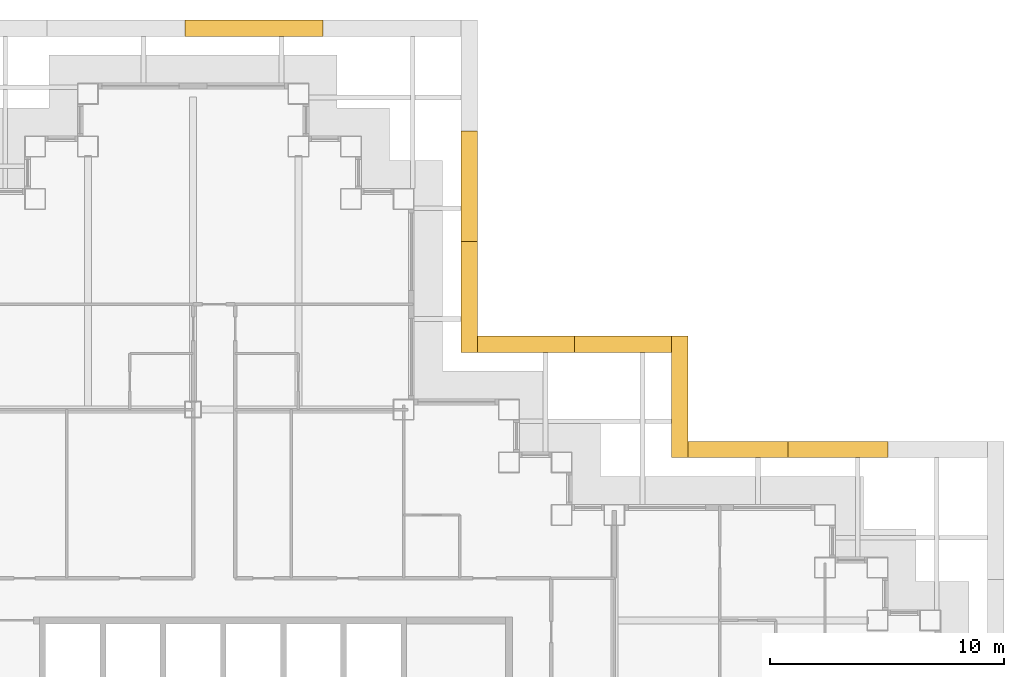
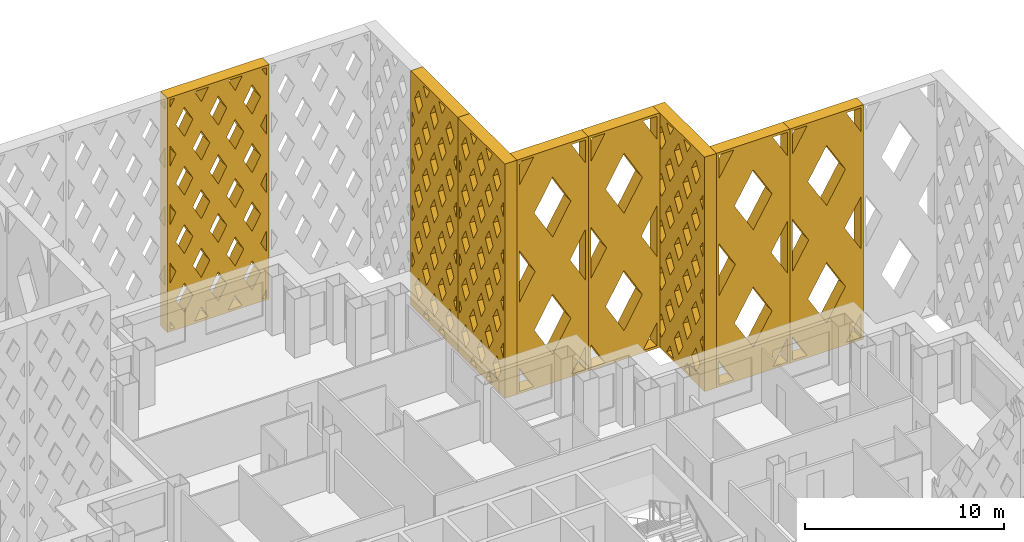
# One storey, part 19 of 21: 8 shading devices.
"""IFC4 building model written with IfcOpenShell, lengths in metres."""

from ifc_helpers import new_model, si_unit, direction, frame, origin, place, context, subcontext, project, spatial, polyline, outline, extrude, material, type_object, element, save


model = new_model("IFC4")

# Units and contexts
model_context = context("Model", 3, precision=1e-05, world=origin(), true_north=direction((0.0, 1.0)))
body_context = subcontext(model_context, "Body", "Model", "MODEL_VIEW")
ifc_project = project(units=[si_unit("LENGTHUNIT", "METRE"), si_unit("AREAUNIT", "SQUARE_METRE"), si_unit("VOLUMEUNIT", "CUBIC_METRE"), si_unit("PLANEANGLEUNIT", "RADIAN"), si_unit("MASSUNIT", "GRAM", prefix="KILO")], contexts=[model_context])

# Site, building, storey
site_placement = place(None, origin())
site = spatial("IfcSite", under=ifc_project, at=site_placement, CompositionType="ELEMENT")
building_placement = place(site_placement, origin())
building = spatial("IfcBuilding", under=site, at=building_placement, Name="Caravel Reach Hotel and Residences", CompositionType="ELEMENT")
storey_placement = place(building_placement, frame((0.0, 0.0, 100.800048828125)))
storey = spatial("IfcBuildingStorey", under=building, at=storey_placement, Name="L24", CompositionType="ELEMENT", Elevation=100.800048828125)

# Shading devices
ifc_material_1 = material(Name="Black powder-coated aluminium", Category="aluminium")
shading_device_type_1 = type_object("IfcShadingDeviceType", Name="Diamond lattice screen panel 4150 x 14400", PredefinedType="USERDEFINED", material=ifc_material_1)
for number, where, z_axis, x_axis, name in (
    (1, (51.949951171875, 42.949951171875, 0.0), (0.0, 1.0, 0.0), (-1.0, 0.0, 0.0), "Lattice screen L24-L27 10.1"),
    (2, (47.800048828125, 42.949951171875, 0.0), (0.0, 1.0, 0.0), (-1.0, 0.0, 0.0), "Lattice screen L24-L27 10.2"),
):
    element("IfcShadingDevice", number, at=place(storey_placement, frame(where, z_axis=z_axis, x_axis=x_axis)), inside=storey, type_object=shading_device_type_1, Name=name, ObjectType="SCREEN", PredefinedType="USERDEFINED", context=body_context, shape_type="SweptSolid", body=[
        extrude(outline(polyline([(0.0, 0.0), (4.14990234375, 0.0), (4.14990234375, 14.39990234375), (0.0, 14.39990234375), (0.0, 0.0)]), holes=[polyline([(0.97802734375, 0.14990234375), (0.14990234375, 1.586669921875), (0.14990234375, 0.14990234375), (0.97802734375, 0.14990234375)]), polyline([(1.064697265625, 7.199951171875), (0.14990234375, 8.786865234375), (0.14990234375, 5.61328125), (1.064697265625, 7.199951171875)]), polyline([(0.14990234375, 12.813232421875), (0.97802734375, 14.25), (0.14990234375, 14.25), (0.14990234375, 12.813232421875)]), polyline([(2.074951171875, 5.447021484375), (1.010498046875, 3.60009765625), (2.074951171875, 1.7529296875), (3.1396484375, 3.60009765625), (2.074951171875, 5.447021484375)]), polyline([(2.074951171875, 12.64697265625), (1.010498046875, 10.800048828125), (2.074951171875, 8.953125), (3.1396484375, 10.800048828125), (2.074951171875, 12.64697265625)]), polyline([(4.0, 1.586669921875), (3.171875, 0.14990234375), (4.0, 0.14990234375), (4.0, 1.586669921875)]), polyline([(3.08544921875, 7.199951171875), (4.0, 5.61328125), (4.0, 8.786865234375), (3.08544921875, 7.199951171875)]), polyline([(3.171875, 14.25), (4.0, 12.813232421875), (4.0, 14.25), (3.171875, 14.25)])]), origin(), (0.0, 0.0, 1.0), 0.699951171875),
    ])
ifc_material_2 = material(Name="Black powder-coated aluminium", Category="aluminium")
shading_device_type_2 = type_object("IfcShadingDeviceType", Name="Diamond lattice screen panel 4267 x 14400", PredefinedType="USERDEFINED", material=ifc_material_2)
for number, where, z_axis, x_axis, name in (
    (3, (61.183349609375, 38.449951171875, 0.0), (0.0, 1.0, 0.0), (-1.0, 0.0, 0.0), "Lattice screen L24-L27 8.2"),
    (4, (56.916748046875, 38.449951171875, 0.0), (0.0, 1.0, 0.0), (-1.0, 0.0, 0.0), "Lattice screen L24-L27 8.3"),
):
    element("IfcShadingDevice", number, at=place(storey_placement, frame(where, z_axis=z_axis, x_axis=x_axis)), inside=storey, type_object=shading_device_type_2, Name=name, ObjectType="SCREEN", PredefinedType="USERDEFINED", context=body_context, shape_type="SweptSolid", body=[
        extrude(outline(polyline([(0.0, 0.0), (4.2666015625, 0.0), (4.2666015625, 14.39990234375), (0.0, 14.39990234375), (0.0, 0.0)]), holes=[polyline([(1.003662109375, 0.14990234375), (0.14990234375, 1.590576171875), (0.14990234375, 0.14990234375), (1.003662109375, 0.14990234375)]), polyline([(1.092529296875, 7.199951171875), (0.14990234375, 8.790771484375), (0.14990234375, 5.609375), (1.092529296875, 7.199951171875)]), polyline([(0.14990234375, 12.809326171875), (1.003662109375, 14.25), (0.14990234375, 14.25), (0.14990234375, 12.809326171875)]), polyline([(2.13330078125, 5.44384765625), (1.040771484375, 3.60009765625), (2.13330078125, 1.756103515625), (3.225830078125, 3.60009765625), (2.13330078125, 5.44384765625)]), polyline([(2.13330078125, 12.643798828125), (1.040771484375, 10.800048828125), (2.13330078125, 8.956298828125), (3.225830078125, 10.800048828125), (2.13330078125, 12.643798828125)]), polyline([(4.11669921875, 1.590576171875), (3.262939453125, 0.14990234375), (4.11669921875, 0.14990234375), (4.11669921875, 1.590576171875)]), polyline([(3.174072265625, 7.199951171875), (4.11669921875, 5.609375), (4.11669921875, 8.790771484375), (3.174072265625, 7.199951171875)]), polyline([(3.262939453125, 14.25), (4.11669921875, 12.809326171875), (4.11669921875, 14.25), (3.262939453125, 14.25)])]), origin(), (0.0, 0.0, 1.0), 0.699951171875),
    ])
ifc_material_3 = material(Name="Black powder-coated aluminium", Category="aluminium")
shading_device_type_3 = type_object("IfcShadingDeviceType", Name="Diamond lattice screen panel 4733 x 14400", PredefinedType="USERDEFINED", material=ifc_material_3)
shading_device_1_placement = place(storey_placement, frame((42.949951171875, 42.949951171875, 0.0), z_axis=(1.0, 0.0, 0.0), x_axis=(0.0, 1.0, 0.0)))
element("IfcShadingDevice", 5, at=shading_device_1_placement, inside=storey, type_object=shading_device_type_3, Name="Lattice screen L24-L27 11.1", ObjectType="SCREEN", PredefinedType="USERDEFINED", context=body_context, shape_type="SweptSolid", body=[
    extrude(outline(polyline([(0.0, 0.0), (4.7333984375, 0.0), (4.7333984375, 14.39990234375), (0.0, 14.39990234375), (0.0, 0.0)]), holes=[polyline([(0.39892578125, 2.8798828125), (0.14990234375, 3.334228515625), (0.14990234375, 2.42578125), (0.39892578125, 2.8798828125)]), polyline([(0.39892578125, 5.760009765625), (0.14990234375, 6.21435546875), (0.14990234375, 5.3056640625), (0.39892578125, 5.760009765625)]), polyline([(0.39892578125, 8.639892578125), (0.14990234375, 9.09423828125), (0.14990234375, 8.185791015625), (0.39892578125, 8.639892578125)]), polyline([(0.39892578125, 11.52001953125), (0.14990234375, 11.974365234375), (0.14990234375, 11.065673828125), (0.39892578125, 11.52001953125)]), polyline([(0.788818359375, 2.16796875), (0.39013671875, 1.43994140625), (0.788818359375, 0.7119140625), (1.187744140625, 1.43994140625), (0.788818359375, 2.16796875)]), polyline([(0.788818359375, 5.048095703125), (0.39013671875, 4.320068359375), (0.788818359375, 3.592041015625), (1.187744140625, 4.320068359375), (0.788818359375, 5.048095703125)]), polyline([(0.788818359375, 7.927978515625), (0.39013671875, 7.199951171875), (0.788818359375, 6.471923828125), (1.187744140625, 7.199951171875), (0.788818359375, 7.927978515625)]), polyline([(0.788818359375, 10.80810546875), (0.39013671875, 10.080078125), (0.788818359375, 9.35205078125), (1.187744140625, 10.080078125), (0.788818359375, 10.80810546875)]), polyline([(0.788818359375, 13.68798828125), (0.39013671875, 12.9599609375), (0.788818359375, 12.23193359375), (1.187744140625, 12.9599609375), (0.788818359375, 13.68798828125)]), polyline([(1.577880859375, 0.72802734375), (1.260986328125, 0.14990234375), (1.89453125, 0.14990234375), (1.577880859375, 0.72802734375)]), polyline([(1.577880859375, 3.608154296875), (1.178955078125, 2.8798828125), (1.577880859375, 2.15185546875), (1.9765625, 2.8798828125), (1.577880859375, 3.608154296875)]), polyline([(1.577880859375, 6.488037109375), (1.178955078125, 5.760009765625), (1.577880859375, 5.031982421875), (1.9765625, 5.760009765625), (1.577880859375, 6.488037109375)]), polyline([(1.577880859375, 9.3681640625), (1.178955078125, 8.639892578125), (1.577880859375, 7.911865234375), (1.9765625, 8.639892578125), (1.577880859375, 9.3681640625)]), polyline([(1.577880859375, 12.248046875), (1.178955078125, 11.52001953125), (1.577880859375, 10.7919921875), (1.9765625, 11.52001953125), (1.577880859375, 12.248046875)]), polyline([(1.577880859375, 13.671875), (1.89453125, 14.25), (1.260986328125, 14.25), (1.577880859375, 13.671875)]), polyline([(2.36669921875, 2.16796875), (1.9677734375, 1.43994140625), (2.36669921875, 0.7119140625), (2.765625, 1.43994140625), (2.36669921875, 2.16796875)]), polyline([(2.36669921875, 5.048095703125), (1.9677734375, 4.320068359375), (2.36669921875, 3.592041015625), (2.765625, 4.320068359375), (2.36669921875, 5.048095703125)]), polyline([(2.36669921875, 7.927978515625), (1.9677734375, 7.199951171875), (2.36669921875, 6.471923828125), (2.765625, 7.199951171875), (2.36669921875, 7.927978515625)]), polyline([(2.36669921875, 10.80810546875), (1.9677734375, 10.080078125), (2.36669921875, 9.35205078125), (2.765625, 10.080078125), (2.36669921875, 10.80810546875)]), polyline([(2.36669921875, 13.68798828125), (1.9677734375, 12.9599609375), (2.36669921875, 12.23193359375), (2.765625, 12.9599609375), (2.36669921875, 13.68798828125)]), polyline([(3.155517578125, 0.72802734375), (2.8388671875, 0.14990234375), (3.47216796875, 0.14990234375), (3.155517578125, 0.72802734375)]), polyline([(3.155517578125, 3.608154296875), (2.756591796875, 2.8798828125), (3.155517578125, 2.15185546875), (3.554443359375, 2.8798828125), (3.155517578125, 3.608154296875)]), polyline([(3.155517578125, 6.488037109375), (2.756591796875, 5.760009765625), (3.155517578125, 5.031982421875), (3.554443359375, 5.760009765625), (3.155517578125, 6.488037109375)]), polyline([(3.155517578125, 9.3681640625), (2.756591796875, 8.639892578125), (3.155517578125, 7.911865234375), (3.554443359375, 8.639892578125), (3.155517578125, 9.3681640625)]), polyline([(3.155517578125, 12.248046875), (2.756591796875, 11.52001953125), (3.155517578125, 10.7919921875), (3.554443359375, 11.52001953125), (3.155517578125, 12.248046875)]), polyline([(3.155517578125, 13.671875), (3.47216796875, 14.25), (2.8388671875, 14.25), (3.155517578125, 13.671875)]), polyline([(3.9443359375, 2.16796875), (3.545654296875, 1.43994140625), (3.9443359375, 0.7119140625), (4.34326171875, 1.43994140625), (3.9443359375, 2.16796875)]), polyline([(3.9443359375, 5.048095703125), (3.545654296875, 4.320068359375), (3.9443359375, 3.592041015625), (4.34326171875, 4.320068359375), (3.9443359375, 5.048095703125)]), polyline([(3.9443359375, 7.927978515625), (3.545654296875, 7.199951171875), (3.9443359375, 6.471923828125), (4.34326171875, 7.199951171875), (3.9443359375, 7.927978515625)]), polyline([(3.9443359375, 10.80810546875), (3.545654296875, 10.080078125), (3.9443359375, 9.35205078125), (4.34326171875, 10.080078125), (3.9443359375, 10.80810546875)]), polyline([(3.9443359375, 13.68798828125), (3.545654296875, 12.9599609375), (3.9443359375, 12.23193359375), (4.34326171875, 12.9599609375), (3.9443359375, 13.68798828125)]), polyline([(4.33447265625, 2.8798828125), (4.583251953125, 2.42578125), (4.583251953125, 3.334228515625), (4.33447265625, 2.8798828125)]), polyline([(4.33447265625, 5.760009765625), (4.583251953125, 5.3056640625), (4.583251953125, 6.21435546875), (4.33447265625, 5.760009765625)]), polyline([(4.33447265625, 8.639892578125), (4.583251953125, 8.185791015625), (4.583251953125, 9.09423828125), (4.33447265625, 8.639892578125)]), polyline([(4.33447265625, 11.52001953125), (4.583251953125, 11.065673828125), (4.583251953125, 11.974365234375), (4.33447265625, 11.52001953125)])]), origin(), (0.0, 0.0, 1.0), 0.699951171875),
])
shading_device_2_placement = place(storey_placement, frame((42.949951171875, 47.683349609375, 0.0), z_axis=(1.0, 0.0, 0.0), x_axis=(0.0, 1.0, 0.0)))
element("IfcShadingDevice", 6, at=shading_device_2_placement, inside=storey, type_object=shading_device_type_3, Name="Lattice screen L24-L27 11.2", ObjectType="SCREEN", PredefinedType="USERDEFINED", context=body_context, shape_type="SweptSolid", body=[
    extrude(outline(polyline([(0.0, 0.0), (4.7333984375, 0.0), (4.7333984375, 14.39990234375), (0.0, 14.39990234375), (0.0, 0.0)]), holes=[polyline([(0.39892578125, 2.8798828125), (0.14990234375, 3.334228515625), (0.14990234375, 2.42578125), (0.39892578125, 2.8798828125)]), polyline([(0.39892578125, 5.760009765625), (0.14990234375, 6.21435546875), (0.14990234375, 5.3056640625), (0.39892578125, 5.760009765625)]), polyline([(0.39892578125, 8.639892578125), (0.14990234375, 9.09423828125), (0.14990234375, 8.185791015625), (0.39892578125, 8.639892578125)]), polyline([(0.39892578125, 11.52001953125), (0.14990234375, 11.974365234375), (0.14990234375, 11.065673828125), (0.39892578125, 11.52001953125)]), polyline([(0.788818359375, 2.16796875), (0.39013671875, 1.43994140625), (0.788818359375, 0.7119140625), (1.187744140625, 1.43994140625), (0.788818359375, 2.16796875)]), polyline([(0.788818359375, 5.048095703125), (0.39013671875, 4.320068359375), (0.788818359375, 3.592041015625), (1.187744140625, 4.320068359375), (0.788818359375, 5.048095703125)]), polyline([(0.788818359375, 7.927978515625), (0.39013671875, 7.199951171875), (0.788818359375, 6.471923828125), (1.187744140625, 7.199951171875), (0.788818359375, 7.927978515625)]), polyline([(0.788818359375, 10.80810546875), (0.39013671875, 10.080078125), (0.788818359375, 9.35205078125), (1.187744140625, 10.080078125), (0.788818359375, 10.80810546875)]), polyline([(0.788818359375, 13.68798828125), (0.39013671875, 12.9599609375), (0.788818359375, 12.23193359375), (1.187744140625, 12.9599609375), (0.788818359375, 13.68798828125)]), polyline([(1.577880859375, 0.72802734375), (1.260986328125, 0.14990234375), (1.89453125, 0.14990234375), (1.577880859375, 0.72802734375)]), polyline([(1.577880859375, 3.608154296875), (1.178955078125, 2.8798828125), (1.577880859375, 2.15185546875), (1.9765625, 2.8798828125), (1.577880859375, 3.608154296875)]), polyline([(1.577880859375, 6.488037109375), (1.178955078125, 5.760009765625), (1.577880859375, 5.031982421875), (1.9765625, 5.760009765625), (1.577880859375, 6.488037109375)]), polyline([(1.577880859375, 9.3681640625), (1.178955078125, 8.639892578125), (1.577880859375, 7.911865234375), (1.9765625, 8.639892578125), (1.577880859375, 9.3681640625)]), polyline([(1.577880859375, 12.248046875), (1.178955078125, 11.52001953125), (1.577880859375, 10.7919921875), (1.9765625, 11.52001953125), (1.577880859375, 12.248046875)]), polyline([(1.577880859375, 13.671875), (1.89453125, 14.25), (1.260986328125, 14.25), (1.577880859375, 13.671875)]), polyline([(2.36669921875, 2.16796875), (1.9677734375, 1.43994140625), (2.36669921875, 0.7119140625), (2.765625, 1.43994140625), (2.36669921875, 2.16796875)]), polyline([(2.36669921875, 5.048095703125), (1.9677734375, 4.320068359375), (2.36669921875, 3.592041015625), (2.765625, 4.320068359375), (2.36669921875, 5.048095703125)]), polyline([(2.36669921875, 7.927978515625), (1.9677734375, 7.199951171875), (2.36669921875, 6.471923828125), (2.765625, 7.199951171875), (2.36669921875, 7.927978515625)]), polyline([(2.36669921875, 10.80810546875), (1.9677734375, 10.080078125), (2.36669921875, 9.35205078125), (2.765625, 10.080078125), (2.36669921875, 10.80810546875)]), polyline([(2.36669921875, 13.68798828125), (1.9677734375, 12.9599609375), (2.36669921875, 12.23193359375), (2.765625, 12.9599609375), (2.36669921875, 13.68798828125)]), polyline([(3.155517578125, 0.72802734375), (2.8388671875, 0.14990234375), (3.47216796875, 0.14990234375), (3.155517578125, 0.72802734375)]), polyline([(3.155517578125, 3.608154296875), (2.756591796875, 2.8798828125), (3.155517578125, 2.15185546875), (3.554443359375, 2.8798828125), (3.155517578125, 3.608154296875)]), polyline([(3.155517578125, 6.488037109375), (2.756591796875, 5.760009765625), (3.155517578125, 5.031982421875), (3.554443359375, 5.760009765625), (3.155517578125, 6.488037109375)]), polyline([(3.155517578125, 9.3681640625), (2.756591796875, 8.639892578125), (3.155517578125, 7.911865234375), (3.554443359375, 8.639892578125), (3.155517578125, 9.3681640625)]), polyline([(3.155517578125, 12.248046875), (2.756591796875, 11.52001953125), (3.155517578125, 10.7919921875), (3.554443359375, 11.52001953125), (3.155517578125, 12.248046875)]), polyline([(3.155517578125, 13.671875), (3.47216796875, 14.25), (2.8388671875, 14.25), (3.155517578125, 13.671875)]), polyline([(3.9443359375, 2.16796875), (3.545654296875, 1.43994140625), (3.9443359375, 0.7119140625), (4.34326171875, 1.43994140625), (3.9443359375, 2.16796875)]), polyline([(3.9443359375, 5.048095703125), (3.545654296875, 4.320068359375), (3.9443359375, 3.592041015625), (4.34326171875, 4.320068359375), (3.9443359375, 5.048095703125)]), polyline([(3.9443359375, 7.927978515625), (3.545654296875, 7.199951171875), (3.9443359375, 6.471923828125), (4.34326171875, 7.199951171875), (3.9443359375, 7.927978515625)]), polyline([(3.9443359375, 10.80810546875), (3.545654296875, 10.080078125), (3.9443359375, 9.35205078125), (4.34326171875, 10.080078125), (3.9443359375, 10.80810546875)]), polyline([(3.9443359375, 13.68798828125), (3.545654296875, 12.9599609375), (3.9443359375, 12.23193359375), (4.34326171875, 12.9599609375), (3.9443359375, 13.68798828125)]), polyline([(4.33447265625, 2.8798828125), (4.583251953125, 2.42578125), (4.583251953125, 3.334228515625), (4.33447265625, 2.8798828125)]), polyline([(4.33447265625, 5.760009765625), (4.583251953125, 5.3056640625), (4.583251953125, 6.21435546875), (4.33447265625, 5.760009765625)]), polyline([(4.33447265625, 8.639892578125), (4.583251953125, 8.185791015625), (4.583251953125, 9.09423828125), (4.33447265625, 8.639892578125)]), polyline([(4.33447265625, 11.52001953125), (4.583251953125, 11.065673828125), (4.583251953125, 11.974365234375), (4.33447265625, 11.52001953125)])]), origin(), (0.0, 0.0, 1.0), 0.699951171875),
])
ifc_material_4 = material(Name="Black powder-coated aluminium", Category="aluminium")
shading_device_type_4 = type_object("IfcShadingDeviceType", Name="Diamond lattice screen panel 5200 x 14400", PredefinedType="USERDEFINED", material=ifc_material_4)
shading_device_3_placement = place(storey_placement, frame((51.949951171875, 38.449951171875, 0.0), z_axis=(1.0, 0.0, 0.0), x_axis=(0.0, 1.0, 0.0)))
element("IfcShadingDevice", 7, at=shading_device_3_placement, inside=storey, type_object=shading_device_type_4, Name="Lattice screen L24-L27 9.1", ObjectType="SCREEN", PredefinedType="USERDEFINED", context=body_context, shape_type="SweptSolid", body=[
    extrude(outline(polyline([(0.0, 0.0), (5.199951171875, 0.0), (5.199951171875, 14.39990234375), (0.0, 14.39990234375), (0.0, 0.0)]), holes=[polyline([(0.436767578125, 2.8798828125), (0.14990234375, 3.3564453125), (0.14990234375, 2.403564453125), (0.436767578125, 2.8798828125)]), polyline([(0.436767578125, 5.760009765625), (0.14990234375, 6.236572265625), (0.14990234375, 5.283447265625), (0.436767578125, 5.760009765625)]), polyline([(0.436767578125, 8.639892578125), (0.14990234375, 9.116455078125), (0.14990234375, 8.16357421875), (0.436767578125, 8.639892578125)]), polyline([(0.436767578125, 11.52001953125), (0.14990234375, 11.99658203125), (0.14990234375, 11.04345703125), (0.436767578125, 11.52001953125)]), polyline([(0.86669921875, 2.165771484375), (0.429931640625, 1.43994140625), (0.86669921875, 0.71435546875), (1.303466796875, 1.43994140625), (0.86669921875, 2.165771484375)]), polyline([(0.86669921875, 5.045654296875), (0.429931640625, 4.320068359375), (0.86669921875, 3.59423828125), (1.303466796875, 4.320068359375), (0.86669921875, 5.045654296875)]), polyline([(0.86669921875, 7.92578125), (0.429931640625, 7.199951171875), (0.86669921875, 6.474365234375), (1.303466796875, 7.199951171875), (0.86669921875, 7.92578125)]), polyline([(0.86669921875, 10.8056640625), (0.429931640625, 10.080078125), (0.86669921875, 9.354248046875), (1.303466796875, 10.080078125), (0.86669921875, 10.8056640625)]), polyline([(0.86669921875, 13.685791015625), (0.429931640625, 12.9599609375), (0.86669921875, 12.234130859375), (1.303466796875, 12.9599609375), (0.86669921875, 13.685791015625)]), polyline([(1.7333984375, 0.725830078125), (1.38671875, 0.14990234375), (2.079833984375, 0.14990234375), (1.7333984375, 0.725830078125)]), polyline([(1.7333984375, 3.605712890625), (1.296630859375, 2.8798828125), (1.7333984375, 2.154296875), (2.170166015625, 2.8798828125), (1.7333984375, 3.605712890625)]), polyline([(1.7333984375, 6.48583984375), (1.296630859375, 5.760009765625), (1.7333984375, 5.0341796875), (2.170166015625, 5.760009765625), (1.7333984375, 6.48583984375)]), polyline([(1.7333984375, 9.36572265625), (1.296630859375, 8.639892578125), (1.7333984375, 7.914306640625), (2.170166015625, 8.639892578125), (1.7333984375, 9.36572265625)]), polyline([(1.7333984375, 12.245849609375), (1.296630859375, 11.52001953125), (1.7333984375, 10.794189453125), (2.170166015625, 11.52001953125), (1.7333984375, 12.245849609375)]), polyline([(1.7333984375, 13.67431640625), (2.079833984375, 14.25), (1.38671875, 14.25), (1.7333984375, 13.67431640625)]), polyline([(2.60009765625, 2.165771484375), (2.1630859375, 1.43994140625), (2.60009765625, 0.71435546875), (3.036865234375, 1.43994140625), (2.60009765625, 2.165771484375)]), polyline([(2.60009765625, 5.045654296875), (2.1630859375, 4.320068359375), (2.60009765625, 3.59423828125), (3.036865234375, 4.320068359375), (2.60009765625, 5.045654296875)]), polyline([(2.60009765625, 7.92578125), (2.1630859375, 7.199951171875), (2.60009765625, 6.474365234375), (3.036865234375, 7.199951171875), (2.60009765625, 7.92578125)]), polyline([(2.60009765625, 10.8056640625), (2.1630859375, 10.080078125), (2.60009765625, 9.354248046875), (3.036865234375, 10.080078125), (2.60009765625, 10.8056640625)]), polyline([(2.60009765625, 13.685791015625), (2.1630859375, 12.9599609375), (2.60009765625, 12.234130859375), (3.036865234375, 12.9599609375), (2.60009765625, 13.685791015625)]), polyline([(3.466552734375, 0.725830078125), (3.1201171875, 0.14990234375), (3.813232421875, 0.14990234375), (3.466552734375, 0.725830078125)]), polyline([(3.466552734375, 3.605712890625), (3.02978515625, 2.8798828125), (3.466552734375, 2.154296875), (3.903564453125, 2.8798828125), (3.466552734375, 3.605712890625)]), polyline([(3.466552734375, 6.48583984375), (3.02978515625, 5.760009765625), (3.466552734375, 5.0341796875), (3.903564453125, 5.760009765625), (3.466552734375, 6.48583984375)]), polyline([(3.466552734375, 9.36572265625), (3.02978515625, 8.639892578125), (3.466552734375, 7.914306640625), (3.903564453125, 8.639892578125), (3.466552734375, 9.36572265625)]), polyline([(3.466552734375, 12.245849609375), (3.02978515625, 11.52001953125), (3.466552734375, 10.794189453125), (3.903564453125, 11.52001953125), (3.466552734375, 12.245849609375)]), polyline([(3.466552734375, 13.67431640625), (3.813232421875, 14.25), (3.1201171875, 14.25), (3.466552734375, 13.67431640625)]), polyline([(4.333251953125, 2.165771484375), (3.896484375, 1.43994140625), (4.333251953125, 0.71435546875), (4.77001953125, 1.43994140625), (4.333251953125, 2.165771484375)]), polyline([(4.333251953125, 5.045654296875), (3.896484375, 4.320068359375), (4.333251953125, 3.59423828125), (4.77001953125, 4.320068359375), (4.333251953125, 5.045654296875)]), polyline([(4.333251953125, 7.92578125), (3.896484375, 7.199951171875), (4.333251953125, 6.474365234375), (4.77001953125, 7.199951171875), (4.333251953125, 7.92578125)]), polyline([(4.333251953125, 10.8056640625), (3.896484375, 10.080078125), (4.333251953125, 9.354248046875), (4.77001953125, 10.080078125), (4.333251953125, 10.8056640625)]), polyline([(4.333251953125, 13.685791015625), (3.896484375, 12.9599609375), (4.333251953125, 12.234130859375), (4.77001953125, 12.9599609375), (4.333251953125, 13.685791015625)]), polyline([(4.76318359375, 2.8798828125), (5.050048828125, 2.403564453125), (5.050048828125, 3.3564453125), (4.76318359375, 2.8798828125)]), polyline([(4.76318359375, 5.760009765625), (5.050048828125, 5.283447265625), (5.050048828125, 6.236572265625), (4.76318359375, 5.760009765625)]), polyline([(4.76318359375, 8.639892578125), (5.050048828125, 8.16357421875), (5.050048828125, 9.116455078125), (4.76318359375, 8.639892578125)]), polyline([(4.76318359375, 11.52001953125), (5.050048828125, 11.04345703125), (5.050048828125, 11.99658203125), (4.76318359375, 11.52001953125)])]), origin(), (0.0, 0.0, 1.0), 0.699951171875),
])
ifc_material_5 = material(Name="Black powder-coated aluminium", Category="aluminium")
shading_device_type_5 = type_object("IfcShadingDeviceType", Name="Diamond lattice screen panel 5900 x 14400", PredefinedType="USERDEFINED", material=ifc_material_5)
shading_device_4_placement = place(storey_placement, frame((37.050048828125, 56.449951171875, 0.0), z_axis=(0.0, 1.0, 0.0), x_axis=(-1.0, 0.0, 0.0)))
element("IfcShadingDevice", 8, at=shading_device_4_placement, inside=storey, type_object=shading_device_type_5, Name="Lattice screen L24-L27 12.2", ObjectType="SCREEN", PredefinedType="USERDEFINED", context=body_context, shape_type="SweptSolid", body=[
    extrude(outline(polyline([(0.0, 0.0), (5.89990234375, 0.0), (5.89990234375, 14.39990234375), (0.0, 14.39990234375), (0.0, 0.0)]), holes=[polyline([(0.40966796875, 0.14990234375), (0.14990234375, 0.62548828125), (0.14990234375, 0.14990234375), (0.40966796875, 0.14990234375)]), polyline([(0.49169921875, 3.60009765625), (0.14990234375, 4.2255859375), (0.14990234375, 2.974609375), (0.49169921875, 3.60009765625)]), polyline([(0.49169921875, 7.199951171875), (0.14990234375, 7.825439453125), (0.14990234375, 6.574462890625), (0.49169921875, 7.199951171875)]), polyline([(0.49169921875, 10.800048828125), (0.14990234375, 11.425537109375), (0.14990234375, 10.174560546875), (0.49169921875, 10.800048828125)]), polyline([(0.14990234375, 13.7744140625), (0.40966796875, 14.25), (0.14990234375, 14.25), (0.14990234375, 13.7744140625)]), polyline([(0.9833984375, 2.699951171875), (0.49169921875, 1.800048828125), (0.9833984375, 0.89990234375), (1.47509765625, 1.800048828125), (0.9833984375, 2.699951171875)]), polyline([(0.9833984375, 6.300048828125), (0.49169921875, 5.39990234375), (0.9833984375, 4.5), (1.47509765625, 5.39990234375), (0.9833984375, 6.300048828125)]), polyline([(0.9833984375, 9.900146484375), (0.49169921875, 9.0), (0.9833984375, 8.099853515625), (1.47509765625, 9.0), (0.9833984375, 9.900146484375)]), polyline([(0.9833984375, 13.5), (0.49169921875, 12.60009765625), (0.9833984375, 11.699951171875), (1.47509765625, 12.60009765625), (0.9833984375, 13.5)]), polyline([(1.966552734375, 0.900146484375), (1.556884765625, 0.14990234375), (2.37646484375, 0.14990234375), (1.966552734375, 0.900146484375)]), polyline([(1.966552734375, 4.5), (1.474853515625, 3.60009765625), (1.966552734375, 2.699951171875), (2.458251953125, 3.60009765625), (1.966552734375, 4.5)]), polyline([(1.966552734375, 8.10009765625), (1.474853515625, 7.199951171875), (1.966552734375, 6.300048828125), (2.458251953125, 7.199951171875), (1.966552734375, 8.10009765625)]), polyline([(1.966552734375, 11.699951171875), (1.474853515625, 10.800048828125), (1.966552734375, 9.89990234375), (2.458251953125, 10.800048828125), (1.966552734375, 11.699951171875)]), polyline([(1.966552734375, 13.5), (2.37646484375, 14.25), (1.556884765625, 14.25), (1.966552734375, 13.5)]), polyline([(2.949951171875, 2.699951171875), (2.458251953125, 1.800048828125), (2.949951171875, 0.89990234375), (3.441650390625, 1.800048828125), (2.949951171875, 2.699951171875)]), polyline([(2.949951171875, 6.300048828125), (2.458251953125, 5.39990234375), (2.949951171875, 4.5), (3.441650390625, 5.39990234375), (2.949951171875, 6.300048828125)]), polyline([(2.949951171875, 9.900146484375), (2.458251953125, 9.0), (2.949951171875, 8.099853515625), (3.441650390625, 9.0), (2.949951171875, 9.900146484375)]), polyline([(2.949951171875, 13.5), (2.458251953125, 12.60009765625), (2.949951171875, 11.699951171875), (3.441650390625, 12.60009765625), (2.949951171875, 13.5)]), polyline([(3.933349609375, 0.900146484375), (3.523681640625, 0.14990234375), (4.343017578125, 0.14990234375), (3.933349609375, 0.900146484375)]), polyline([(3.933349609375, 4.5), (3.441650390625, 3.60009765625), (3.933349609375, 2.699951171875), (4.425048828125, 3.60009765625), (3.933349609375, 4.5)]), polyline([(3.933349609375, 8.10009765625), (3.441650390625, 7.199951171875), (3.933349609375, 6.300048828125), (4.425048828125, 7.199951171875), (3.933349609375, 8.10009765625)]), polyline([(3.933349609375, 11.699951171875), (3.441650390625, 10.800048828125), (3.933349609375, 9.89990234375), (4.425048828125, 10.800048828125), (3.933349609375, 11.699951171875)]), polyline([(3.933349609375, 13.5), (4.343017578125, 14.25), (3.523681640625, 14.25), (3.933349609375, 13.5)]), polyline([(4.916748046875, 2.699951171875), (4.425048828125, 1.800048828125), (4.916748046875, 0.89990234375), (5.408447265625, 1.800048828125), (4.916748046875, 2.699951171875)]), polyline([(4.916748046875, 6.300048828125), (4.425048828125, 5.39990234375), (4.916748046875, 4.5), (5.408447265625, 5.39990234375), (4.916748046875, 6.300048828125)]), polyline([(4.916748046875, 9.900146484375), (4.425048828125, 9.0), (4.916748046875, 8.099853515625), (5.408447265625, 9.0), (4.916748046875, 9.900146484375)]), polyline([(4.916748046875, 13.5), (4.425048828125, 12.60009765625), (4.916748046875, 11.699951171875), (5.408447265625, 12.60009765625), (4.916748046875, 13.5)]), polyline([(5.75, 0.62548828125), (5.490234375, 0.14990234375), (5.75, 0.14990234375), (5.75, 0.62548828125)]), polyline([(5.408203125, 3.60009765625), (5.75, 2.974609375), (5.75, 4.2255859375), (5.408203125, 3.60009765625)]), polyline([(5.408203125, 7.199951171875), (5.75, 6.574462890625), (5.75, 7.825439453125), (5.408203125, 7.199951171875)]), polyline([(5.408203125, 10.800048828125), (5.75, 10.174560546875), (5.75, 11.425537109375), (5.408203125, 10.800048828125)]), polyline([(5.490234375, 14.25), (5.75, 13.7744140625), (5.75, 14.25), (5.490234375, 14.25)])]), origin(), (0.0, 0.0, 1.0), 0.699951171875),
])

save(model, "model.ifc")
